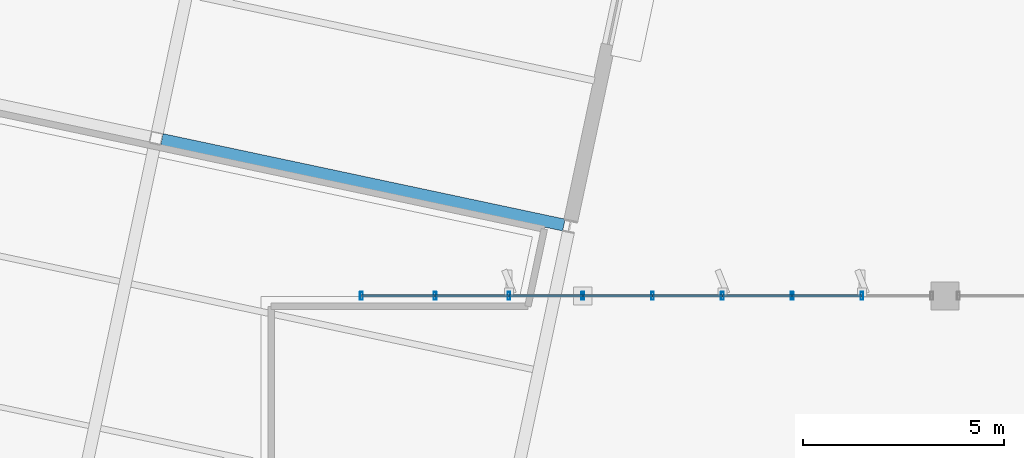
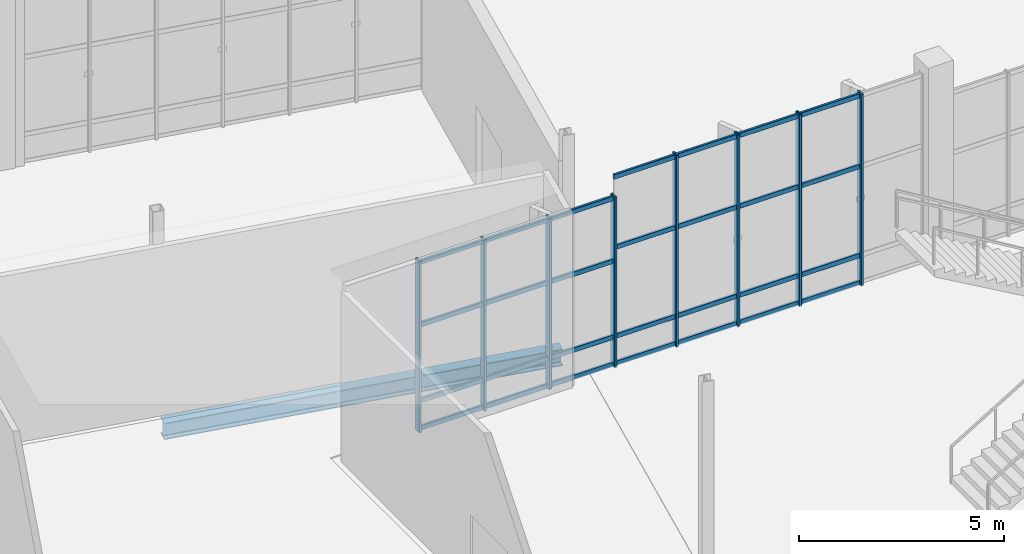
# One storey, part 50 of 163: 36 members, 1 beam, 2 elements without a shape of their own.
"""IFC4 building model written with IfcOpenShell, lengths in metres."""

from ifc_helpers import new_model, si_unit, direction, frame, origin, origin_2d, place, context, subcontext, project, spatial, hollow_rectangle, i_section, extrude, material, layer, layer_set, material_profile, profile_set, type_object, element, aggregate, save


model = new_model("IFC4")

# Units and contexts
model_context = context("Model", 3, precision=1e-05, world=origin(), true_north=direction((0.0, 1.0)))
body_context = subcontext(model_context, "Body", "Model", "MODEL_VIEW")
ifc_project = project(units=[si_unit("LENGTHUNIT", "METRE"), si_unit("AREAUNIT", "SQUARE_METRE"), si_unit("VOLUMEUNIT", "CUBIC_METRE"), si_unit("PLANEANGLEUNIT", "RADIAN"), si_unit("MASSUNIT", "GRAM", prefix="KILO")], contexts=[model_context])

# Site, building, storey
site_placement = place(None, origin())
site = spatial("IfcSite", under=ifc_project, at=site_placement, CompositionType="ELEMENT")
building_placement = place(site_placement, origin())
building = spatial("IfcBuilding", under=site, at=building_placement, Name="Khorjan Park Terminus", CompositionType="ELEMENT")
storey_placement = place(building_placement, origin())
storey = spatial("IfcBuildingStorey", under=building, at=storey_placement, Name="L00", CompositionType="ELEMENT", Elevation=0.0)

# Beam
ifc_material_1 = material(Name="Steel S355", Category="steel")
ifc_material_profile_1 = material_profile(ifc_material_1, i_section(OverallWidth=0.3, OverallDepth=0.49, WebThickness=0.012, FlangeThickness=0.023, FilletRadius=0.027, at=origin_2d()), Name="HEA 500")
ifc_profile_set_1 = profile_set([ifc_material_profile_1], Name="Steel S355")
beam_type = type_object("IfcBeamType", Name="BM-HEA500", PredefinedType="BEAM", material=ifc_profile_set_1)
beam_placement = place(storey_placement, frame((21.544, 69.8826, -0.585), z_axis=(0.978147224785, -0.207913459509, 0.0), x_axis=(0.207913459509, 0.978147224785, 0.0)))
element("IfcBeam", 1, at=beam_placement, inside=storey, type_object=beam_type, Name="Primary skew-grid floor girder SB-A50 (L00)", PredefinedType="BEAM", context=body_context, shape_type="SweptSolid", body=[
    extrude(i_section(OverallWidth=0.3, OverallDepth=0.49, WebThickness=0.012, FlangeThickness=0.023, FilletRadius=0.027, at=origin_2d()), origin(), (0.0, 0.0, 1.0), 10.21),
])

# Curtain wall, members
ifc_material_2 = material(Name="Anodized Bronze Aluminium", Category="aluminium")
ifc_layer = layer(ifc_material_2, 0.22)
ifc_layer_set = layer_set([ifc_layer], Name="Anodized Bronze Aluminium")
curtain_wall_type = type_object("IfcCurtainWallType", Name="CW-PAV-C", PredefinedType="NOTDEFINED", material=ifc_layer_set)
curtain_wall_1_placement = place(storey_placement, origin())
curtain_wall_1 = element("IfcCurtainWall", 2, at=curtain_wall_1_placement, inside=storey, type_object=curtain_wall_type, Name="Unitized curtain wall CW-C (CW-V4L-N-L00-1)", PredefinedType="NOTDEFINED")
ifc_material_profile_2 = material_profile(ifc_material_2, hollow_rectangle(XDim=0.07, YDim=0.2, WallThickness=0.005, InnerFilletRadius=0.005, OuterFilletRadius=0.01, at=origin_2d()), Name="ALM 70x200x5")
ifc_profile_set_2 = profile_set([ifc_material_profile_2], Name="Anodized Bronze Aluminium")
member_type_1 = type_object("IfcMemberType", Name="ML-ALM-200", PredefinedType="MULLION", material=ifc_profile_set_2)
member_1_placement = place(storey_placement, frame((32.0, 66.0, -0.035), z_axis=(0.0, 0.0, 1.0), x_axis=(-1.0, 0.0, 0.0)))
member_1 = element("IfcMember", 3, at=member_1_placement, type_object=member_type_1, Name="Curtain-wall mullion ML-20 (CW-V4L-N-L00-1-0)", PredefinedType="MULLION", context=body_context, shape_type="SweptSolid", body=[
    extrude(hollow_rectangle(XDim=0.07, YDim=0.2, WallThickness=0.005, InnerFilletRadius=0.005, OuterFilletRadius=0.01, at=origin_2d()), origin(), (0.0, 0.0, 1.0), 5.085),
])
member_2_placement = place(storey_placement, frame((30.1667, 66.0, -0.035), z_axis=(0.0, 0.0, 1.0), x_axis=(-1.0, 0.0, 0.0)))
member_2 = element("IfcMember", 4, at=member_2_placement, type_object=member_type_1, Name="Curtain-wall mullion ML-20 (CW-V4L-N-L00-1-1)", PredefinedType="MULLION", context=body_context, shape_type="SweptSolid", body=[
    extrude(hollow_rectangle(XDim=0.07, YDim=0.2, WallThickness=0.005, InnerFilletRadius=0.005, OuterFilletRadius=0.01, at=origin_2d()), origin(), (0.0, 0.0, 1.0), 5.085),
])
member_3_placement = place(storey_placement, frame((28.3333, 66.0, -0.035), z_axis=(0.0, 0.0, 1.0), x_axis=(-1.0, 0.0, 0.0)))
member_3 = element("IfcMember", 5, at=member_3_placement, type_object=member_type_1, Name="Curtain-wall mullion ML-20 (CW-V4L-N-L00-1-2)", PredefinedType="MULLION", context=body_context, shape_type="SweptSolid", body=[
    extrude(hollow_rectangle(XDim=0.07, YDim=0.2, WallThickness=0.005, InnerFilletRadius=0.005, OuterFilletRadius=0.01, at=origin_2d()), origin(), (0.0, 0.0, 1.0), 5.085),
])
member_4_placement = place(storey_placement, frame((26.5, 66.0, -0.035), z_axis=(0.0, 0.0, 1.0), x_axis=(-1.0, 0.0, 0.0)))
member_4 = element("IfcMember", 6, at=member_4_placement, type_object=member_type_1, Name="Curtain-wall mullion ML-20 (CW-V4L-N-L00-1-3)", PredefinedType="MULLION", context=body_context, shape_type="SweptSolid", body=[
    extrude(hollow_rectangle(XDim=0.07, YDim=0.2, WallThickness=0.005, InnerFilletRadius=0.005, OuterFilletRadius=0.01, at=origin_2d()), origin(), (0.0, 0.0, 1.0), 5.085),
])

curtain_wall_2_placement = place(storey_placement, origin())
curtain_wall_2 = element("IfcCurtainWall", 7, at=curtain_wall_2_placement, inside=storey, type_object=curtain_wall_type, Name="Unitized curtain wall CW-C (CW-V4L-N-L00-2)", PredefinedType="NOTDEFINED")
member_5_placement = place(storey_placement, frame((38.936, 66.0, -0.035), z_axis=(0.0, 0.0, 1.0), x_axis=(-1.0, 0.0, 0.0)))
member_5 = element("IfcMember", 8, at=member_5_placement, type_object=member_type_1, Name="Curtain-wall mullion ML-20 (CW-V4L-N-L00-2-1)", PredefinedType="MULLION", context=body_context, shape_type="SweptSolid", body=[
    extrude(hollow_rectangle(XDim=0.07, YDim=0.2, WallThickness=0.005, InnerFilletRadius=0.005, OuterFilletRadius=0.01, at=origin_2d()), origin(), (0.0, 0.0, 1.0), 5.71),
])
member_6_placement = place(storey_placement, frame((37.202, 66.0, -0.035), z_axis=(0.0, 0.0, 1.0), x_axis=(-1.0, 0.0, 0.0)))
member_6 = element("IfcMember", 9, at=member_6_placement, type_object=member_type_1, Name="Curtain-wall mullion ML-20 (CW-V4L-N-L00-2-2)", PredefinedType="MULLION", context=body_context, shape_type="SweptSolid", body=[
    extrude(hollow_rectangle(XDim=0.07, YDim=0.2, WallThickness=0.005, InnerFilletRadius=0.005, OuterFilletRadius=0.01, at=origin_2d()), origin(), (0.0, 0.0, 1.0), 5.71),
])
member_7_placement = place(storey_placement, frame((35.468, 66.0, -0.035), z_axis=(0.0, 0.0, 1.0), x_axis=(-1.0, 0.0, 0.0)))
member_7 = element("IfcMember", 10, at=member_7_placement, type_object=member_type_1, Name="Curtain-wall mullion ML-20 (CW-V4L-N-L00-2-3)", PredefinedType="MULLION", context=body_context, shape_type="SweptSolid", body=[
    extrude(hollow_rectangle(XDim=0.07, YDim=0.2, WallThickness=0.005, InnerFilletRadius=0.005, OuterFilletRadius=0.01, at=origin_2d()), origin(), (0.0, 0.0, 1.0), 5.71),
])
member_8_placement = place(storey_placement, frame((33.734, 66.0, -0.035), z_axis=(0.0, 0.0, 1.0), x_axis=(-1.0, 0.0, 0.0)))
member_8 = element("IfcMember", 11, at=member_8_placement, type_object=member_type_1, Name="Curtain-wall mullion ML-20 (CW-V4L-N-L00-2-4)", PredefinedType="MULLION", context=body_context, shape_type="SweptSolid", body=[
    extrude(hollow_rectangle(XDim=0.07, YDim=0.2, WallThickness=0.005, InnerFilletRadius=0.005, OuterFilletRadius=0.01, at=origin_2d()), origin(), (0.0, 0.0, 1.0), 5.71),
])

# Member
ifc_material_profile_3 = material_profile(ifc_material_2, hollow_rectangle(XDim=0.065, YDim=0.14, WallThickness=0.004, InnerFilletRadius=0.004, OuterFilletRadius=0.008, at=origin_2d()), Name="ALT 65x140x4")
ifc_profile_set_3 = profile_set([ifc_material_profile_3], Name="Anodized Bronze Aluminium")
member_type_2 = type_object("IfcMemberType", Name="TR-ALT-140", PredefinedType="USERDEFINED", material=ifc_profile_set_3)
member_9_placement = place(storey_placement, frame((32.0, 66.0, 0.04), z_axis=(-1.0, 0.0, 0.0), x_axis=(0.0, -1.0, 0.0)))
member_9 = element("IfcMember", 12, at=member_9_placement, type_object=member_type_2, Name="Curtain-wall transom TR-14 (CW-V4L-N-L00-1-0-1)", ObjectType="TRANSOM", PredefinedType="USERDEFINED", context=body_context, shape_type="SweptSolid", body=[
    extrude(hollow_rectangle(XDim=0.065, YDim=0.14, WallThickness=0.004, InnerFilletRadius=0.004, OuterFilletRadius=0.008, at=origin_2d()), origin(), (0.0, 0.0, 1.0), 1.8333),
])

member_10_placement = place(storey_placement, frame((32.0, 66.0, 0.85), z_axis=(-1.0, 0.0, 0.0), x_axis=(0.0, -1.0, 0.0)))
member_10 = element("IfcMember", 13, at=member_10_placement, type_object=member_type_2, Name="Curtain-wall transom TR-14 (CW-V4L-N-L00-1-0-2)", ObjectType="TRANSOM", PredefinedType="USERDEFINED", context=body_context, shape_type="SweptSolid", body=[
    extrude(hollow_rectangle(XDim=0.065, YDim=0.14, WallThickness=0.004, InnerFilletRadius=0.004, OuterFilletRadius=0.008, at=origin_2d()), origin(), (0.0, 0.0, 1.0), 1.8333),
])

member_11_placement = place(storey_placement, frame((32.0, 66.0, 3.1093), z_axis=(-1.0, 0.0, 0.0), x_axis=(0.0, -1.0, 0.0)))
member_11 = element("IfcMember", 14, at=member_11_placement, type_object=member_type_2, Name="Curtain-wall transom TR-14 (CW-V4L-N-L00-1-0-3)", ObjectType="TRANSOM", PredefinedType="USERDEFINED", context=body_context, shape_type="SweptSolid", body=[
    extrude(hollow_rectangle(XDim=0.065, YDim=0.14, WallThickness=0.004, InnerFilletRadius=0.004, OuterFilletRadius=0.008, at=origin_2d()), origin(), (0.0, 0.0, 1.0), 1.8333),
])

member_12_placement = place(storey_placement, frame((32.0, 66.0, 4.975), z_axis=(-1.0, 0.0, 0.0), x_axis=(0.0, -1.0, 0.0)))
member_12 = element("IfcMember", 15, at=member_12_placement, type_object=member_type_2, Name="Curtain-wall transom TR-14 (CW-V4L-N-L00-1-0-4)", ObjectType="TRANSOM", PredefinedType="USERDEFINED", context=body_context, shape_type="SweptSolid", body=[
    extrude(hollow_rectangle(XDim=0.065, YDim=0.14, WallThickness=0.004, InnerFilletRadius=0.004, OuterFilletRadius=0.008, at=origin_2d()), origin(), (0.0, 0.0, 1.0), 1.8333),
])

member_13_placement = place(storey_placement, frame((30.1667, 66.0, 0.04), z_axis=(-1.0, 0.0, 0.0), x_axis=(0.0, -1.0, 0.0)))
member_13 = element("IfcMember", 16, at=member_13_placement, type_object=member_type_2, Name="Curtain-wall transom TR-14 (CW-V4L-N-L00-1-1-1)", ObjectType="TRANSOM", PredefinedType="USERDEFINED", context=body_context, shape_type="SweptSolid", body=[
    extrude(hollow_rectangle(XDim=0.065, YDim=0.14, WallThickness=0.004, InnerFilletRadius=0.004, OuterFilletRadius=0.008, at=origin_2d()), origin(), (0.0, 0.0, 1.0), 1.8334),
])

member_14_placement = place(storey_placement, frame((30.1667, 66.0, 0.85), z_axis=(-1.0, 0.0, 0.0), x_axis=(0.0, -1.0, 0.0)))
member_14 = element("IfcMember", 17, at=member_14_placement, type_object=member_type_2, Name="Curtain-wall transom TR-14 (CW-V4L-N-L00-1-1-2)", ObjectType="TRANSOM", PredefinedType="USERDEFINED", context=body_context, shape_type="SweptSolid", body=[
    extrude(hollow_rectangle(XDim=0.065, YDim=0.14, WallThickness=0.004, InnerFilletRadius=0.004, OuterFilletRadius=0.008, at=origin_2d()), origin(), (0.0, 0.0, 1.0), 1.8334),
])

member_15_placement = place(storey_placement, frame((30.1667, 66.0, 3.1093), z_axis=(-1.0, 0.0, 0.0), x_axis=(0.0, -1.0, 0.0)))
member_15 = element("IfcMember", 18, at=member_15_placement, type_object=member_type_2, Name="Curtain-wall transom TR-14 (CW-V4L-N-L00-1-1-3)", ObjectType="TRANSOM", PredefinedType="USERDEFINED", context=body_context, shape_type="SweptSolid", body=[
    extrude(hollow_rectangle(XDim=0.065, YDim=0.14, WallThickness=0.004, InnerFilletRadius=0.004, OuterFilletRadius=0.008, at=origin_2d()), origin(), (0.0, 0.0, 1.0), 1.8334),
])

member_16_placement = place(storey_placement, frame((30.1667, 66.0, 4.975), z_axis=(-1.0, 0.0, 0.0), x_axis=(0.0, -1.0, 0.0)))
member_16 = element("IfcMember", 19, at=member_16_placement, type_object=member_type_2, Name="Curtain-wall transom TR-14 (CW-V4L-N-L00-1-1-4)", ObjectType="TRANSOM", PredefinedType="USERDEFINED", context=body_context, shape_type="SweptSolid", body=[
    extrude(hollow_rectangle(XDim=0.065, YDim=0.14, WallThickness=0.004, InnerFilletRadius=0.004, OuterFilletRadius=0.008, at=origin_2d()), origin(), (0.0, 0.0, 1.0), 1.8334),
])

member_17_placement = place(storey_placement, frame((28.3333, 66.0, 0.04), z_axis=(-1.0, 0.0, 0.0), x_axis=(0.0, -1.0, 0.0)))
member_17 = element("IfcMember", 20, at=member_17_placement, type_object=member_type_2, Name="Curtain-wall transom TR-14 (CW-V4L-N-L00-1-2-1)", ObjectType="TRANSOM", PredefinedType="USERDEFINED", context=body_context, shape_type="SweptSolid", body=[
    extrude(hollow_rectangle(XDim=0.065, YDim=0.14, WallThickness=0.004, InnerFilletRadius=0.004, OuterFilletRadius=0.008, at=origin_2d()), origin(), (0.0, 0.0, 1.0), 1.8333),
])

member_18_placement = place(storey_placement, frame((28.3333, 66.0, 0.85), z_axis=(-1.0, 0.0, 0.0), x_axis=(0.0, -1.0, 0.0)))
member_18 = element("IfcMember", 21, at=member_18_placement, type_object=member_type_2, Name="Curtain-wall transom TR-14 (CW-V4L-N-L00-1-2-2)", ObjectType="TRANSOM", PredefinedType="USERDEFINED", context=body_context, shape_type="SweptSolid", body=[
    extrude(hollow_rectangle(XDim=0.065, YDim=0.14, WallThickness=0.004, InnerFilletRadius=0.004, OuterFilletRadius=0.008, at=origin_2d()), origin(), (0.0, 0.0, 1.0), 1.8333),
])

member_19_placement = place(storey_placement, frame((28.3333, 66.0, 3.1093), z_axis=(-1.0, 0.0, 0.0), x_axis=(0.0, -1.0, 0.0)))
member_19 = element("IfcMember", 22, at=member_19_placement, type_object=member_type_2, Name="Curtain-wall transom TR-14 (CW-V4L-N-L00-1-2-3)", ObjectType="TRANSOM", PredefinedType="USERDEFINED", context=body_context, shape_type="SweptSolid", body=[
    extrude(hollow_rectangle(XDim=0.065, YDim=0.14, WallThickness=0.004, InnerFilletRadius=0.004, OuterFilletRadius=0.008, at=origin_2d()), origin(), (0.0, 0.0, 1.0), 1.8333),
])

member_20_placement = place(storey_placement, frame((28.3333, 66.0, 4.975), z_axis=(-1.0, 0.0, 0.0), x_axis=(0.0, -1.0, 0.0)))
member_20 = element("IfcMember", 23, at=member_20_placement, type_object=member_type_2, Name="Curtain-wall transom TR-14 (CW-V4L-N-L00-1-2-4)", ObjectType="TRANSOM", PredefinedType="USERDEFINED", context=body_context, shape_type="SweptSolid", body=[
    extrude(hollow_rectangle(XDim=0.065, YDim=0.14, WallThickness=0.004, InnerFilletRadius=0.004, OuterFilletRadius=0.008, at=origin_2d()), origin(), (0.0, 0.0, 1.0), 1.8333),
])

aggregate(curtain_wall_1, [member_1, member_2, member_3, member_4, member_9, member_10, member_11, member_12, member_13, member_14, member_15, member_16, member_17, member_18, member_19, member_20])

member_21_placement = place(storey_placement, frame((38.936, 66.0, 0.04), z_axis=(-1.0, 0.0, 0.0), x_axis=(0.0, -1.0, 0.0)))
member_21 = element("IfcMember", 24, at=member_21_placement, type_object=member_type_2, Name="Curtain-wall transom TR-14 (CW-V4L-N-L00-2-1-1)", ObjectType="TRANSOM", PredefinedType="USERDEFINED", context=body_context, shape_type="SweptSolid", body=[
    extrude(hollow_rectangle(XDim=0.065, YDim=0.14, WallThickness=0.004, InnerFilletRadius=0.004, OuterFilletRadius=0.008, at=origin_2d()), origin(), (0.0, 0.0, 1.0), 1.734),
])

member_22_placement = place(storey_placement, frame((38.936, 66.0, 0.85), z_axis=(-1.0, 0.0, 0.0), x_axis=(0.0, -1.0, 0.0)))
member_22 = element("IfcMember", 25, at=member_22_placement, type_object=member_type_2, Name="Curtain-wall transom TR-14 (CW-V4L-N-L00-2-1-2)", ObjectType="TRANSOM", PredefinedType="USERDEFINED", context=body_context, shape_type="SweptSolid", body=[
    extrude(hollow_rectangle(XDim=0.065, YDim=0.14, WallThickness=0.004, InnerFilletRadius=0.004, OuterFilletRadius=0.008, at=origin_2d()), origin(), (0.0, 0.0, 1.0), 1.734),
])

member_23_placement = place(storey_placement, frame((38.936, 66.0, 3.4968), z_axis=(-1.0, 0.0, 0.0), x_axis=(0.0, -1.0, 0.0)))
member_23 = element("IfcMember", 26, at=member_23_placement, type_object=member_type_2, Name="Curtain-wall transom TR-14 (CW-V4L-N-L00-2-1-3)", ObjectType="TRANSOM", PredefinedType="USERDEFINED", context=body_context, shape_type="SweptSolid", body=[
    extrude(hollow_rectangle(XDim=0.065, YDim=0.14, WallThickness=0.004, InnerFilletRadius=0.004, OuterFilletRadius=0.008, at=origin_2d()), origin(), (0.0, 0.0, 1.0), 1.734),
])

member_24_placement = place(storey_placement, frame((38.936, 66.0, 5.6), z_axis=(-1.0, 0.0, 0.0), x_axis=(0.0, -1.0, 0.0)))
member_24 = element("IfcMember", 27, at=member_24_placement, type_object=member_type_2, Name="Curtain-wall transom TR-14 (CW-V4L-N-L00-2-1-4)", ObjectType="TRANSOM", PredefinedType="USERDEFINED", context=body_context, shape_type="SweptSolid", body=[
    extrude(hollow_rectangle(XDim=0.065, YDim=0.14, WallThickness=0.004, InnerFilletRadius=0.004, OuterFilletRadius=0.008, at=origin_2d()), origin(), (0.0, 0.0, 1.0), 1.734),
])

member_25_placement = place(storey_placement, frame((37.202, 66.0, 0.04), z_axis=(-1.0, 0.0, 0.0), x_axis=(0.0, -1.0, 0.0)))
member_25 = element("IfcMember", 28, at=member_25_placement, type_object=member_type_2, Name="Curtain-wall transom TR-14 (CW-V4L-N-L00-2-2-1)", ObjectType="TRANSOM", PredefinedType="USERDEFINED", context=body_context, shape_type="SweptSolid", body=[
    extrude(hollow_rectangle(XDim=0.065, YDim=0.14, WallThickness=0.004, InnerFilletRadius=0.004, OuterFilletRadius=0.008, at=origin_2d()), origin(), (0.0, 0.0, 1.0), 1.734),
])

member_26_placement = place(storey_placement, frame((37.202, 66.0, 0.85), z_axis=(-1.0, 0.0, 0.0), x_axis=(0.0, -1.0, 0.0)))
member_26 = element("IfcMember", 29, at=member_26_placement, type_object=member_type_2, Name="Curtain-wall transom TR-14 (CW-V4L-N-L00-2-2-2)", ObjectType="TRANSOM", PredefinedType="USERDEFINED", context=body_context, shape_type="SweptSolid", body=[
    extrude(hollow_rectangle(XDim=0.065, YDim=0.14, WallThickness=0.004, InnerFilletRadius=0.004, OuterFilletRadius=0.008, at=origin_2d()), origin(), (0.0, 0.0, 1.0), 1.734),
])

member_27_placement = place(storey_placement, frame((37.202, 66.0, 3.4968), z_axis=(-1.0, 0.0, 0.0), x_axis=(0.0, -1.0, 0.0)))
member_27 = element("IfcMember", 30, at=member_27_placement, type_object=member_type_2, Name="Curtain-wall transom TR-14 (CW-V4L-N-L00-2-2-3)", ObjectType="TRANSOM", PredefinedType="USERDEFINED", context=body_context, shape_type="SweptSolid", body=[
    extrude(hollow_rectangle(XDim=0.065, YDim=0.14, WallThickness=0.004, InnerFilletRadius=0.004, OuterFilletRadius=0.008, at=origin_2d()), origin(), (0.0, 0.0, 1.0), 1.734),
])

member_28_placement = place(storey_placement, frame((37.202, 66.0, 5.6), z_axis=(-1.0, 0.0, 0.0), x_axis=(0.0, -1.0, 0.0)))
member_28 = element("IfcMember", 31, at=member_28_placement, type_object=member_type_2, Name="Curtain-wall transom TR-14 (CW-V4L-N-L00-2-2-4)", ObjectType="TRANSOM", PredefinedType="USERDEFINED", context=body_context, shape_type="SweptSolid", body=[
    extrude(hollow_rectangle(XDim=0.065, YDim=0.14, WallThickness=0.004, InnerFilletRadius=0.004, OuterFilletRadius=0.008, at=origin_2d()), origin(), (0.0, 0.0, 1.0), 1.734),
])

member_29_placement = place(storey_placement, frame((35.468, 66.0, 0.04), z_axis=(-1.0, 0.0, 0.0), x_axis=(0.0, -1.0, 0.0)))
member_29 = element("IfcMember", 32, at=member_29_placement, type_object=member_type_2, Name="Curtain-wall transom TR-14 (CW-V4L-N-L00-2-3-1)", ObjectType="TRANSOM", PredefinedType="USERDEFINED", context=body_context, shape_type="SweptSolid", body=[
    extrude(hollow_rectangle(XDim=0.065, YDim=0.14, WallThickness=0.004, InnerFilletRadius=0.004, OuterFilletRadius=0.008, at=origin_2d()), origin(), (0.0, 0.0, 1.0), 1.734),
])

member_30_placement = place(storey_placement, frame((35.468, 66.0, 0.85), z_axis=(-1.0, 0.0, 0.0), x_axis=(0.0, -1.0, 0.0)))
member_30 = element("IfcMember", 33, at=member_30_placement, type_object=member_type_2, Name="Curtain-wall transom TR-14 (CW-V4L-N-L00-2-3-2)", ObjectType="TRANSOM", PredefinedType="USERDEFINED", context=body_context, shape_type="SweptSolid", body=[
    extrude(hollow_rectangle(XDim=0.065, YDim=0.14, WallThickness=0.004, InnerFilletRadius=0.004, OuterFilletRadius=0.008, at=origin_2d()), origin(), (0.0, 0.0, 1.0), 1.734),
])

member_31_placement = place(storey_placement, frame((35.468, 66.0, 3.4968), z_axis=(-1.0, 0.0, 0.0), x_axis=(0.0, -1.0, 0.0)))
member_31 = element("IfcMember", 34, at=member_31_placement, type_object=member_type_2, Name="Curtain-wall transom TR-14 (CW-V4L-N-L00-2-3-3)", ObjectType="TRANSOM", PredefinedType="USERDEFINED", context=body_context, shape_type="SweptSolid", body=[
    extrude(hollow_rectangle(XDim=0.065, YDim=0.14, WallThickness=0.004, InnerFilletRadius=0.004, OuterFilletRadius=0.008, at=origin_2d()), origin(), (0.0, 0.0, 1.0), 1.734),
])

member_32_placement = place(storey_placement, frame((35.468, 66.0, 5.6), z_axis=(-1.0, 0.0, 0.0), x_axis=(0.0, -1.0, 0.0)))
member_32 = element("IfcMember", 35, at=member_32_placement, type_object=member_type_2, Name="Curtain-wall transom TR-14 (CW-V4L-N-L00-2-3-4)", ObjectType="TRANSOM", PredefinedType="USERDEFINED", context=body_context, shape_type="SweptSolid", body=[
    extrude(hollow_rectangle(XDim=0.065, YDim=0.14, WallThickness=0.004, InnerFilletRadius=0.004, OuterFilletRadius=0.008, at=origin_2d()), origin(), (0.0, 0.0, 1.0), 1.734),
])

member_33_placement = place(storey_placement, frame((33.734, 66.0, 0.04), z_axis=(-1.0, 0.0, 0.0), x_axis=(0.0, -1.0, 0.0)))
member_33 = element("IfcMember", 36, at=member_33_placement, type_object=member_type_2, Name="Curtain-wall transom TR-14 (CW-V4L-N-L00-2-4-1)", ObjectType="TRANSOM", PredefinedType="USERDEFINED", context=body_context, shape_type="SweptSolid", body=[
    extrude(hollow_rectangle(XDim=0.065, YDim=0.14, WallThickness=0.004, InnerFilletRadius=0.004, OuterFilletRadius=0.008, at=origin_2d()), origin(), (0.0, 0.0, 1.0), 1.734),
])

member_34_placement = place(storey_placement, frame((33.734, 66.0, 0.85), z_axis=(-1.0, 0.0, 0.0), x_axis=(0.0, -1.0, 0.0)))
member_34 = element("IfcMember", 37, at=member_34_placement, type_object=member_type_2, Name="Curtain-wall transom TR-14 (CW-V4L-N-L00-2-4-2)", ObjectType="TRANSOM", PredefinedType="USERDEFINED", context=body_context, shape_type="SweptSolid", body=[
    extrude(hollow_rectangle(XDim=0.065, YDim=0.14, WallThickness=0.004, InnerFilletRadius=0.004, OuterFilletRadius=0.008, at=origin_2d()), origin(), (0.0, 0.0, 1.0), 1.734),
])

member_35_placement = place(storey_placement, frame((33.734, 66.0, 3.4968), z_axis=(-1.0, 0.0, 0.0), x_axis=(0.0, -1.0, 0.0)))
member_35 = element("IfcMember", 38, at=member_35_placement, type_object=member_type_2, Name="Curtain-wall transom TR-14 (CW-V4L-N-L00-2-4-3)", ObjectType="TRANSOM", PredefinedType="USERDEFINED", context=body_context, shape_type="SweptSolid", body=[
    extrude(hollow_rectangle(XDim=0.065, YDim=0.14, WallThickness=0.004, InnerFilletRadius=0.004, OuterFilletRadius=0.008, at=origin_2d()), origin(), (0.0, 0.0, 1.0), 1.734),
])

member_36_placement = place(storey_placement, frame((33.734, 66.0, 5.6), z_axis=(-1.0, 0.0, 0.0), x_axis=(0.0, -1.0, 0.0)))
member_36 = element("IfcMember", 39, at=member_36_placement, type_object=member_type_2, Name="Curtain-wall transom TR-14 (CW-V4L-N-L00-2-4-4)", ObjectType="TRANSOM", PredefinedType="USERDEFINED", context=body_context, shape_type="SweptSolid", body=[
    extrude(hollow_rectangle(XDim=0.065, YDim=0.14, WallThickness=0.004, InnerFilletRadius=0.004, OuterFilletRadius=0.008, at=origin_2d()), origin(), (0.0, 0.0, 1.0), 1.734),
])

aggregate(curtain_wall_2, [member_5, member_6, member_7, member_8, member_21, member_22, member_23, member_24, member_25, member_26, member_27, member_28, member_29, member_30, member_31, member_32, member_33, member_34, member_35, member_36])

save(model, "model.ifc")
